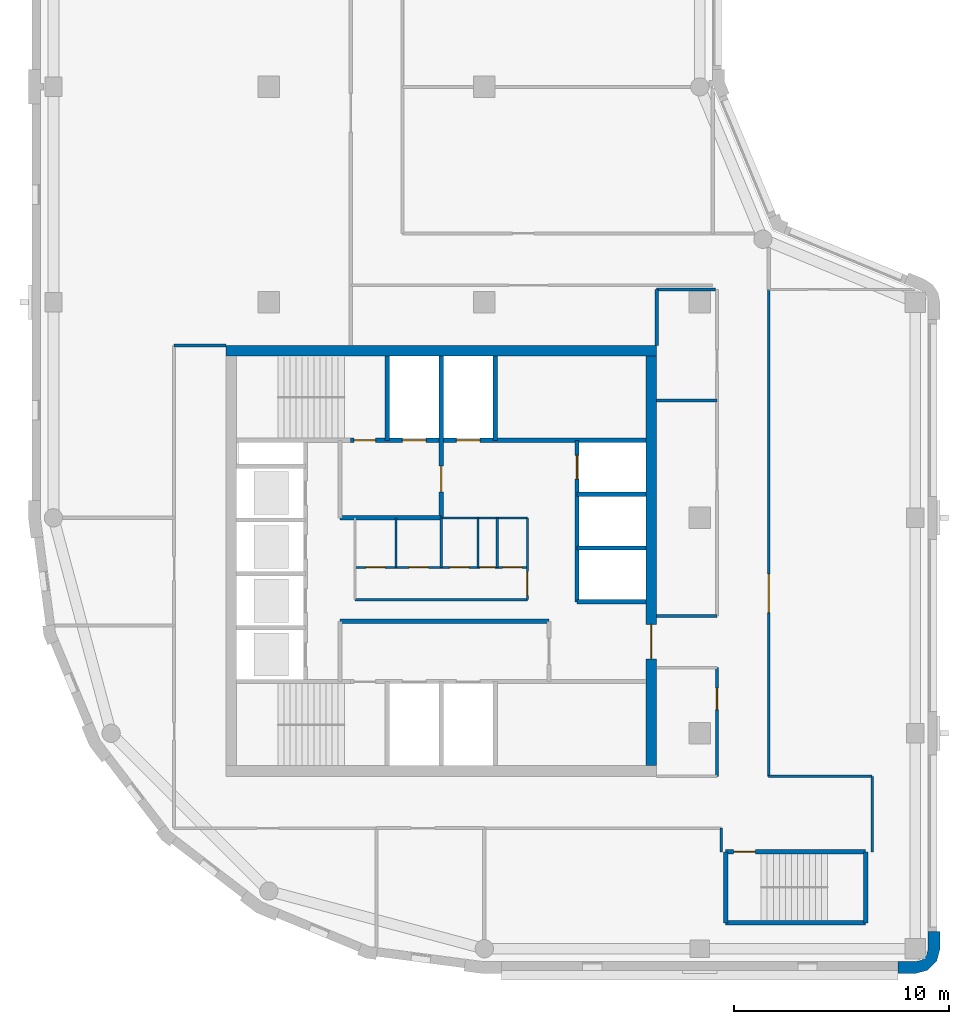
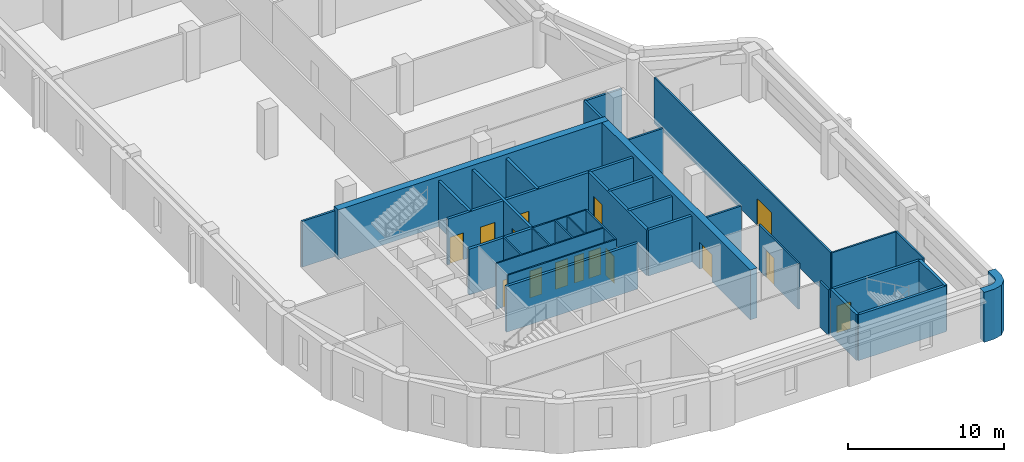
# One storey, part 3 of 8: 35 walls, 15 doors, 15 openings.
"""IFC4 building model written with IfcOpenShell, lengths in metres."""

from ifc_helpers import new_model, si_unit, direction, frame, frame_2d, origin, place, context, subcontext, project, spatial, polyline, rectangle, outline, extrude, material, layer, layer_set, type_object, element, fill, save


model = new_model("IFC4")

# Units and contexts
model_context = context("Model", 3, precision=1e-05, world=origin(), true_north=direction((0.0, 1.0)))
body_context = subcontext(model_context, "Body", "Model", "MODEL_VIEW")
ifc_project = project(units=[si_unit("LENGTHUNIT", "METRE"), si_unit("AREAUNIT", "SQUARE_METRE"), si_unit("VOLUMEUNIT", "CUBIC_METRE"), si_unit("PLANEANGLEUNIT", "RADIAN"), si_unit("MASSUNIT", "GRAM", prefix="KILO")], contexts=[model_context])

# Site, building, storey
site_placement = place(None, origin())
site = spatial("IfcSite", under=ifc_project, at=site_placement, CompositionType="ELEMENT")
building_placement = place(site_placement, origin())
building = spatial("IfcBuilding", under=site, at=building_placement, Name="Qaws Garden Tower", CompositionType="ELEMENT")
storey_placement = place(building_placement, frame((0.0, 0.0, 298.199951171875)))
storey = spatial("IfcBuildingStorey", under=building, at=storey_placement, Name="L72", CompositionType="ELEMENT", Elevation=298.199951171875)

# Walls
ifc_material_1 = material(Name="Clay facing brick masonry", Category="masonry")
ifc_layer_1 = layer(ifc_material_1, 0.550048828125)
ifc_layer_set_1 = layer_set([ifc_layer_1], Name="Clay facing brick masonry")
wall_type_1 = type_object("IfcWallType", Name="Brick corner pier 550 x 2400", PredefinedType="SOLIDWALL", material=ifc_layer_set_1)
wall_1_placement = place(storey_placement, origin())
element("IfcWall", 1, at=wall_1_placement, inside=storey, type_object=wall_type_1, Name="E-L72-pier-02", PredefinedType="SOLIDWALL", context=body_context, shape_type="SweptSolid", body=[
    extrude(outline(polyline([(39.199951171875, -1.0), (39.199951171875, -1.14990234375), (40.0, -1.14990234375), (40.574951171875, -0.995849609375), (40.995849609375, -0.574951171875), (41.14990234375, 0.0), (41.14990234375, 0.800048828125), (41.0, 0.800048828125), (40.60009765625, 0.800048828125), (40.60009765625, 0.0), (40.51953125, -0.300048828125), (40.300048828125, -0.51953125), (40.0, -0.60009765625), (39.199951171875, -0.60009765625), (39.199951171875, -1.0)])), origin(), (0.0, 0.0, 1.0), 3.900146484375),
])
ifc_material_2 = material(Name="Plasterboard")
ifc_layer_2 = layer(ifc_material_2, 0.10009765625)
ifc_layer_set_2 = layer_set([ifc_layer_2], Name="Plasterboard")
wall_type_2 = type_object("IfcWallType", Name="Core partition 100", PredefinedType="PARTITIONING", material=ifc_layer_set_2)
wall_2_placement = place(storey_placement, frame((14.0, 16.199951171875, 0.0), z_axis=(0.0, 0.0, 1.0), x_axis=(1.0, 0.0, 0.0)))
element("IfcWall", 2, at=wall_2_placement, inside=storey, type_object=wall_type_2, Name="Core partition", PredefinedType="PARTITIONING", context=body_context, shape_type="SweptSolid", body=[
    extrude(rectangle(XDim=8.0, YDim=0.10009765625, at=frame_2d((4.0, 0.0))), origin(), (0.0, 0.0, 1.0), 3.580078125),
])

# Wall, openings, doors
wall_3_placement = place(storey_placement, frame((14.0, 17.699951171875, 0.0), z_axis=(0.0, 0.0, 1.0), x_axis=(1.0, 0.0, 0.0)))
wall_3 = element("IfcWall", 3, at=wall_3_placement, inside=storey, type_object=wall_type_2, Name="Core partition", PredefinedType="PARTITIONING", context=body_context, shape_type="SweptSolid", body=[
    extrude(rectangle(XDim=8.0, YDim=0.10009765625, at=frame_2d((4.0, 0.0))), origin(), (0.0, 0.0, 1.0), 3.580078125),
])
opening_1_placement = place(wall_3_placement, frame((0.5, 0.0, 0.0)))
opening_1 = element("IfcOpeningElement", 4, at=opening_1_placement, cuts=wall_3, Name="Opening WD18", PredefinedType="OPENING", context=body_context, shape_type="SweptSolid", body=[
    extrude(rectangle(XDim=0.89990234375, YDim=2.10009765625, at=frame_2d((0.449951171875, 1.050048828125))), frame((0.0, 0.06005859375, 0.0), z_axis=(0.0, -1.0, 0.0), x_axis=(1.0, 0.0, 0.0)), (0.0, 0.0, 1.0), 0.1201171875),
])
opening_2_placement = place(wall_3_placement, frame((2.5, 0.0, 0.0)))
opening_2 = element("IfcOpeningElement", 5, at=opening_2_placement, cuts=wall_3, Name="Opening WD19", PredefinedType="OPENING", context=body_context, shape_type="SweptSolid", body=[
    extrude(rectangle(XDim=0.89990234375, YDim=2.10009765625, at=frame_2d((0.449951171875, 1.050048828125))), frame((0.0, 0.06005859375, 0.0), z_axis=(0.0, -1.0, 0.0), x_axis=(1.0, 0.0, 0.0)), (0.0, 0.0, 1.0), 0.1201171875),
])
opening_3_placement = place(wall_3_placement, frame((4.39990234375, 0.0, 0.0)))
opening_3 = element("IfcOpeningElement", 6, at=opening_3_placement, cuts=wall_3, Name="Opening WD20", PredefinedType="OPENING", context=body_context, shape_type="SweptSolid", body=[
    extrude(rectangle(XDim=0.89990234375, YDim=2.10009765625, at=frame_2d((0.449951171875, 1.050048828125))), frame((0.0, 0.06005859375, 0.0), z_axis=(0.0, -1.0, 0.0), x_axis=(1.0, 0.0, 0.0)), (0.0, 0.0, 1.0), 0.1201171875),
])
opening_4_placement = place(wall_3_placement, frame((5.800048828125, 0.0, 0.0)))
opening_4 = element("IfcOpeningElement", 7, at=opening_4_placement, cuts=wall_3, Name="Opening XD21", PredefinedType="OPENING", context=body_context, shape_type="SweptSolid", body=[
    extrude(rectangle(XDim=0.699951171875, YDim=2.10009765625, at=frame_2d((0.35009765625, 1.050048828125))), frame((0.0, 0.06005859375, 0.0), z_axis=(0.0, -1.0, 0.0), x_axis=(1.0, 0.0, 0.0)), (0.0, 0.0, 1.0), 0.1201171875),
])
opening_5_placement = place(wall_3_placement, frame((6.85009765625, 0.0, 0.0)))
opening_5 = element("IfcOpeningElement", 8, at=opening_5_placement, cuts=wall_3, Name="Opening WD22", PredefinedType="OPENING", context=body_context, shape_type="SweptSolid", body=[
    extrude(rectangle(XDim=0.89990234375, YDim=2.10009765625, at=frame_2d((0.449951171875, 1.050048828125))), frame((0.0, 0.06005859375, 0.0), z_axis=(0.0, -1.0, 0.0), x_axis=(1.0, 0.0, 0.0)), (0.0, 0.0, 1.0), 0.1201171875),
])
ifc_material_3 = material(Name="Timber", Category="wood")
door_type_1 = type_object("IfcDoorType", Name="Store door 700x2100", OperationType="SINGLE_SWING_LEFT", PredefinedType="DOOR", material=ifc_material_3)
door_1_placement = place(opening_4_placement, origin())
door_1 = element("IfcDoor", 9, at=door_1_placement, inside=storey, type_object=door_type_1, Name="Cleaner's store door", OperationType="SINGLE_SWING_RIGHT", OverallHeight=2.10009765625, OverallWidth=0.699951171875, PredefinedType="DOOR", context=body_context, shape_type="SweptSolid", body=[
    extrude(rectangle(XDim=0.699951171875, YDim=2.10009765625, at=frame_2d((0.35009765625, 1.050048828125))), frame((0.0, 0.02490234375, 0.0), z_axis=(0.0, -1.0, 0.0), x_axis=(1.0, 0.0, 0.0)), (0.0, 0.0, 1.0), 0.050048828125),
])
fill(opening_4, door_1)
ifc_material_4 = material(Name="Timber", Category="wood")
door_type_2 = type_object("IfcDoorType", Name="WC door 900x2100", OperationType="SINGLE_SWING_LEFT", PredefinedType="DOOR", material=ifc_material_4)
door_2_placement = place(opening_1_placement, origin())
door_2 = element("IfcDoor", 10, at=door_2_placement, inside=storey, type_object=door_type_2, Name="Men's WC door", OperationType="SINGLE_SWING_RIGHT", OverallHeight=2.10009765625, OverallWidth=0.89990234375, PredefinedType="DOOR", context=body_context, shape_type="SweptSolid", body=[
    extrude(rectangle(XDim=0.89990234375, YDim=2.10009765625, at=frame_2d((0.449951171875, 1.050048828125))), frame((0.0, 0.02490234375, 0.0), z_axis=(0.0, -1.0, 0.0), x_axis=(1.0, 0.0, 0.0)), (0.0, 0.0, 1.0), 0.050048828125),
])
fill(opening_1, door_2)
door_3_placement = place(opening_2_placement, origin())
door_3 = element("IfcDoor", 11, at=door_3_placement, inside=storey, type_object=door_type_2, Name="Women's WC door", OperationType="SINGLE_SWING_RIGHT", OverallHeight=2.10009765625, OverallWidth=0.89990234375, PredefinedType="DOOR", context=body_context, shape_type="SweptSolid", body=[
    extrude(rectangle(XDim=0.89990234375, YDim=2.10009765625, at=frame_2d((0.449951171875, 1.050048828125))), frame((0.0, 0.02490234375, 0.0), z_axis=(0.0, -1.0, 0.0), x_axis=(1.0, 0.0, 0.0)), (0.0, 0.0, 1.0), 0.050048828125),
])
fill(opening_2, door_3)
door_4_placement = place(opening_3_placement, origin())
door_4 = element("IfcDoor", 12, at=door_4_placement, inside=storey, type_object=door_type_2, Name="Accessible WC door", OperationType="SINGLE_SWING_RIGHT", OverallHeight=2.10009765625, OverallWidth=0.89990234375, PredefinedType="DOOR", context=body_context, shape_type="SweptSolid", body=[
    extrude(rectangle(XDim=0.89990234375, YDim=2.10009765625, at=frame_2d((0.449951171875, 1.050048828125))), frame((0.0, 0.02490234375, 0.0), z_axis=(0.0, -1.0, 0.0), x_axis=(1.0, 0.0, 0.0)), (0.0, 0.0, 1.0), 0.050048828125),
])
fill(opening_3, door_4)
door_5_placement = place(opening_5_placement, origin())
door_5 = element("IfcDoor", 13, at=door_5_placement, inside=storey, type_object=door_type_2, Name="Linen store door", OperationType="SINGLE_SWING_RIGHT", OverallHeight=2.10009765625, OverallWidth=0.89990234375, PredefinedType="DOOR", context=body_context, shape_type="SweptSolid", body=[
    extrude(rectangle(XDim=0.89990234375, YDim=2.10009765625, at=frame_2d((0.449951171875, 1.050048828125))), frame((0.0, 0.02490234375, 0.0), z_axis=(0.0, -1.0, 0.0), x_axis=(1.0, 0.0, 0.0)), (0.0, 0.0, 1.0), 0.050048828125),
])
fill(opening_5, door_5)

# Walls
wall_4_placement = place(storey_placement, frame((18.0, 20.0, 0.0), z_axis=(0.0, 0.0, 1.0), x_axis=(1.0, 0.0, 0.0)))
element("IfcWall", 14, at=wall_4_placement, inside=storey, type_object=wall_type_2, Name="Core partition", PredefinedType="PARTITIONING", context=body_context, shape_type="SweptSolid", body=[
    extrude(rectangle(XDim=4.0, YDim=0.10009765625, at=frame_2d((2.0, 0.0))), origin(), (0.0, 0.0, 1.0), 3.580078125),
])
for number, where, z_axis, x_axis, name in (
    (15, (15.89990234375, 17.699951171875, 0.0), (0.0, 0.0, 1.0), (0.0, 1.0, 0.0), "Core partition"),
    (16, (18.0, 17.699951171875, 0.0), (0.0, 0.0, 1.0), (0.0, 1.0, 0.0), "Core partition"),
    (17, (19.699951171875, 17.699951171875, 0.0), (0.0, 0.0, 1.0), (0.0, 1.0, 0.0), "Core partition"),
    (18, (20.60009765625, 17.699951171875, 0.0), (0.0, 0.0, 1.0), (0.0, 1.0, 0.0), "Core partition"),
):
    element("IfcWall", number, at=place(storey_placement, frame(where, z_axis=z_axis, x_axis=x_axis)), inside=storey, type_object=wall_type_2, Name=name, PredefinedType="PARTITIONING", context=body_context, shape_type="SweptSolid", body=[
        extrude(rectangle(XDim=2.300048828125, YDim=0.10009765625, at=frame_2d((1.14990234375, 0.0))), origin(), (0.0, 0.0, 1.0), 3.580078125),
    ])

# Wall, opening, door
wall_5_placement = place(storey_placement, frame((22.0, 16.199951171875, 0.0), z_axis=(0.0, 0.0, 1.0), x_axis=(0.0, 1.0, 0.0)))
wall_5 = element("IfcWall", 19, at=wall_5_placement, inside=storey, type_object=wall_type_2, Name="Core partition", PredefinedType="PARTITIONING", context=body_context, shape_type="SweptSolid", body=[
    extrude(rectangle(XDim=3.800048828125, YDim=0.10009765625, at=frame_2d((1.89990234375, 0.0))), origin(), (0.0, 0.0, 1.0), 3.580078125),
])
opening_6_placement = place(wall_5_placement, frame((0.199951171875, 0.0, 0.0)))
opening_6 = element("IfcOpeningElement", 20, at=opening_6_placement, cuts=wall_5, Name="Opening WL17", PredefinedType="OPENING", context=body_context, shape_type="SweptSolid", body=[
    extrude(rectangle(XDim=1.10009765625, YDim=2.10009765625, at=frame_2d((0.550048828125, 1.050048828125))), frame((0.0, 0.06005859375, 0.0), z_axis=(0.0, -1.0, 0.0), x_axis=(1.0, 0.0, 0.0)), (0.0, 0.0, 1.0), 0.1201171875),
])
ifc_material_5 = material(Name="Timber", Category="wood")
door_type_3 = type_object("IfcDoorType", Name="WC lobby door 1100x2100", OperationType="SINGLE_SWING_LEFT", PredefinedType="DOOR", material=ifc_material_5)
door_6_placement = place(opening_6_placement, origin())
door_6 = element("IfcDoor", 21, at=door_6_placement, inside=storey, type_object=door_type_3, Name="WC lobby door", OperationType="SINGLE_SWING_RIGHT", OverallHeight=2.10009765625, OverallWidth=1.10009765625, PredefinedType="DOOR", context=body_context, shape_type="SweptSolid", body=[
    extrude(rectangle(XDim=1.10009765625, YDim=2.10009765625, at=frame_2d((0.550048828125, 1.050048828125))), frame((0.0, 0.02490234375, 0.0), z_axis=(0.0, -1.0, 0.0), x_axis=(1.0, 0.0, 0.0)), (0.0, 0.0, 1.0), 0.050048828125),
])
fill(opening_6, door_6)

# Wall
ifc_material_6 = material(Name="Concrete C60", Category="concrete")
ifc_layer_3 = layer(ifc_material_6, 0.199951171875)
ifc_layer_set_3 = layer_set([ifc_layer_3], Name="Concrete C60")
wall_type_3 = type_object("IfcWallType", Name="Core shaft wall 200 C60", PredefinedType="SHEAR", material=ifc_layer_set_3)
wall_6_placement = place(storey_placement, frame((31.199951171875, 1.199951171875, 0.0), z_axis=(0.0, 0.0, 1.0), x_axis=(1.0, 0.0, 0.0)))
element("IfcWall", 22, at=wall_6_placement, inside=storey, type_object=wall_type_3, Name="Shaft wall", PredefinedType="SHEAR", context=body_context, shape_type="SweptSolid", body=[
    extrude(rectangle(XDim=6.5, YDim=0.199951171875, at=frame_2d((3.25, 0.0))), origin(), (0.0, 0.0, 1.0), 3.580078125),
])

# Wall, opening, door
wall_7_placement = place(storey_placement, frame((31.199951171875, 4.5, 0.0), z_axis=(0.0, 0.0, 1.0), x_axis=(1.0, 0.0, 0.0)))
wall_7 = element("IfcWall", 23, at=wall_7_placement, inside=storey, type_object=wall_type_3, Name="Shaft wall", PredefinedType="SHEAR", context=body_context, shape_type="SweptSolid", body=[
    extrude(rectangle(XDim=6.5, YDim=0.199951171875, at=frame_2d((3.25, 0.0))), origin(), (0.0, 0.0, 1.0), 3.580078125),
])
opening_7_placement = place(wall_7_placement, frame((0.375, 0.0, 0.0)))
opening_7 = element("IfcOpeningElement", 24, at=opening_7_placement, cuts=wall_7, Name="Opening SD12", PredefinedType="OPENING", context=body_context, shape_type="SweptSolid", body=[
    extrude(rectangle(XDim=1.0, YDim=2.10009765625, at=frame_2d((0.5, 1.050048828125))), frame((0.0, 0.10986328125, 0.0), z_axis=(0.0, -1.0, 0.0), x_axis=(1.0, 0.0, 0.0)), (0.0, 0.0, 1.0), 0.219970703125),
])
ifc_material_7 = material(Name="Steel S235", Category="steel")
door_type_4 = type_object("IfcDoorType", Name="Stair door 1000x2100", OperationType="SINGLE_SWING_RIGHT", PredefinedType="DOOR", material=ifc_material_7)
door_7_placement = place(opening_7_placement, frame((1.0, 0.0, 0.0), z_axis=(0.0, 0.0, 1.0), x_axis=(-1.0, 0.0, 0.0)))
door_7 = element("IfcDoor", 25, at=door_7_placement, inside=storey, type_object=door_type_4, Name="Stair 5 door", OperationType="SINGLE_SWING_RIGHT", OverallHeight=2.10009765625, OverallWidth=1.0, PredefinedType="DOOR", context=body_context, shape_type="SweptSolid", body=[
    extrude(rectangle(XDim=1.0, YDim=2.10009765625, at=frame_2d((0.5, 1.050048828125))), frame((0.0, 0.02490234375, 0.0), z_axis=(0.0, -1.0, 0.0), x_axis=(1.0, 0.0, 0.0)), (0.0, 0.0, 1.0), 0.050048828125),
])
fill(opening_7, door_7)

# Walls
wall_8_placement = place(storey_placement, frame((13.300048828125, 15.199951171875, 0.0), z_axis=(0.0, 0.0, 1.0), x_axis=(1.0, 0.0, 0.0)))
element("IfcWall", 26, at=wall_8_placement, inside=storey, type_object=wall_type_3, Name="Shaft wall", PredefinedType="SHEAR", context=body_context, shape_type="SweptSolid", body=[
    extrude(rectangle(XDim=9.699951171875, YDim=0.199951171875, at=frame_2d((4.85009765625, 0.0))), origin(), (0.0, 0.0, 1.0), 3.580078125),
])
for number, where, z_axis, x_axis, name in (
    (27, (24.300048828125, 16.10009765625, 0.0), (0.0, 0.0, 1.0), (1.0, 0.0, 0.0), "Shaft wall"),
    (28, (24.300048828125, 18.60009765625, 0.0), (0.0, 0.0, 1.0), (1.0, 0.0, 0.0), "Shaft wall"),
):
    element("IfcWall", number, at=place(storey_placement, frame(where, z_axis=z_axis, x_axis=x_axis)), inside=storey, type_object=wall_type_3, Name=name, PredefinedType="SHEAR", context=body_context, shape_type="SweptSolid", body=[
        extrude(rectangle(XDim=3.199951171875, YDim=0.199951171875, at=frame_2d((1.60009765625, 0.0))), origin(), (0.0, 0.0, 1.0), 3.580078125),
    ])
wall_9_placement = place(storey_placement, frame((13.300048828125, 20.0, 0.0), z_axis=(0.0, 0.0, 1.0), x_axis=(1.0, 0.0, 0.0)))
element("IfcWall", 29, at=wall_9_placement, inside=storey, type_object=wall_type_3, Name="Shaft wall", PredefinedType="SHEAR", context=body_context, shape_type="SweptSolid", body=[
    extrude(rectangle(XDim=4.699951171875, YDim=0.199951171875, at=frame_2d((2.35009765625, 0.0))), origin(), (0.0, 0.0, 1.0), 3.580078125),
])
wall_10_placement = place(storey_placement, frame((24.300048828125, 21.10009765625, 0.0), z_axis=(0.0, 0.0, 1.0), x_axis=(1.0, 0.0, 0.0)))
element("IfcWall", 30, at=wall_10_placement, inside=storey, type_object=wall_type_3, Name="Shaft wall", PredefinedType="SHEAR", context=body_context, shape_type="SweptSolid", body=[
    extrude(rectangle(XDim=3.199951171875, YDim=0.199951171875, at=frame_2d((1.60009765625, 0.0))), origin(), (0.0, 0.0, 1.0), 3.580078125),
])

# Wall, openings, doors
wall_11_placement = place(storey_placement, frame((13.800048828125, 23.60009765625, 0.0), z_axis=(0.0, 0.0, 1.0), x_axis=(1.0, 0.0, 0.0)))
wall_11 = element("IfcWall", 31, at=wall_11_placement, inside=storey, type_object=wall_type_3, Name="Shaft wall", PredefinedType="SHEAR", context=body_context, shape_type="SweptSolid", body=[
    extrude(rectangle(XDim=13.699951171875, YDim=0.199951171875, at=frame_2d((6.85009765625, 0.0))), origin(), (0.0, 0.0, 1.0), 3.580078125),
])
opening_8_placement = place(wall_11_placement, frame((2.39990234375, 0.0, 0.0)))
opening_8 = element("IfcOpeningElement", 32, at=opening_8_placement, cuts=wall_11, Name="Opening LD08", PredefinedType="OPENING", context=body_context, shape_type="SweptSolid", body=[
    extrude(rectangle(XDim=1.10009765625, YDim=2.10009765625, at=frame_2d((0.550048828125, 1.050048828125))), frame((0.0, 0.10986328125, 0.0), z_axis=(0.0, -1.0, 0.0), x_axis=(1.0, 0.0, 0.0)), (0.0, 0.0, 1.0), 0.219970703125),
])
opening_9_placement = place(wall_11_placement, frame((4.89990234375, 0.0, 0.0)))
opening_9 = element("IfcOpeningElement", 33, at=opening_9_placement, cuts=wall_11, Name="Opening LD09", PredefinedType="OPENING", context=body_context, shape_type="SweptSolid", body=[
    extrude(rectangle(XDim=1.10009765625, YDim=2.10009765625, at=frame_2d((0.550048828125, 1.050048828125))), frame((0.0, 0.10986328125, 0.0), z_axis=(0.0, -1.0, 0.0), x_axis=(1.0, 0.0, 0.0)), (0.0, 0.0, 1.0), 0.219970703125),
])
opening_10_placement = place(wall_11_placement, frame((0.14990234375, 0.0, 0.0)))
opening_10 = element("IfcOpeningElement", 34, at=opening_10_placement, cuts=wall_11, Name="Opening SD11", PredefinedType="OPENING", context=body_context, shape_type="SweptSolid", body=[
    extrude(rectangle(XDim=1.0, YDim=2.10009765625, at=frame_2d((0.5, 1.050048828125))), frame((0.0, 0.10986328125, 0.0), z_axis=(0.0, -1.0, 0.0), x_axis=(1.0, 0.0, 0.0)), (0.0, 0.0, 1.0), 0.219970703125),
])
ifc_material_8 = material(Name="Steel S235", Category="steel")
door_type_5 = type_object("IfcDoorType", Name="Landing door 1100x2100", OperationType="DOUBLE_DOOR_SLIDING", PredefinedType="DOOR", material=ifc_material_8)
door_8_placement = place(opening_8_placement, origin())
door_8 = element("IfcDoor", 35, at=door_8_placement, inside=storey, type_object=door_type_5, Name="Lift FF3 landing door", OperationType="DOUBLE_DOOR_SLIDING", OverallHeight=2.10009765625, OverallWidth=1.10009765625, PredefinedType="DOOR", context=body_context, shape_type="SweptSolid", body=[
    extrude(rectangle(XDim=1.10009765625, YDim=2.10009765625, at=frame_2d((0.550048828125, 1.050048828125))), frame((0.0, 0.02490234375, 0.0), z_axis=(0.0, -1.0, 0.0), x_axis=(1.0, 0.0, 0.0)), (0.0, 0.0, 1.0), 0.050048828125),
])
fill(opening_8, door_8)
door_9_placement = place(opening_9_placement, origin())
door_9 = element("IfcDoor", 36, at=door_9_placement, inside=storey, type_object=door_type_5, Name="Lift SV2 landing door", OperationType="DOUBLE_DOOR_SLIDING", OverallHeight=2.10009765625, OverallWidth=1.10009765625, PredefinedType="DOOR", context=body_context, shape_type="SweptSolid", body=[
    extrude(rectangle(XDim=1.10009765625, YDim=2.10009765625, at=frame_2d((0.550048828125, 1.050048828125))), frame((0.0, 0.02490234375, 0.0), z_axis=(0.0, -1.0, 0.0), x_axis=(1.0, 0.0, 0.0)), (0.0, 0.0, 1.0), 0.050048828125),
])
fill(opening_9, door_9)
door_10_placement = place(opening_10_placement, origin())
door_10 = element("IfcDoor", 37, at=door_10_placement, inside=storey, type_object=door_type_4, Name="Stair 4 door", OperationType="SINGLE_SWING_RIGHT", OverallHeight=2.10009765625, OverallWidth=1.0, PredefinedType="DOOR", context=body_context, shape_type="SweptSolid", body=[
    extrude(rectangle(XDim=1.0, YDim=2.10009765625, at=frame_2d((0.5, 1.050048828125))), frame((0.0, 0.02490234375, 0.0), z_axis=(0.0, -1.0, 0.0), x_axis=(1.0, 0.0, 0.0)), (0.0, 0.0, 1.0), 0.050048828125),
])
fill(opening_10, door_10)

# Wall
wall_12_placement = place(storey_placement, frame((15.5, 23.60009765625, 0.0), z_axis=(0.0, 0.0, 1.0), x_axis=(0.0, 1.0, 0.0)))
element("IfcWall", 38, at=wall_12_placement, inside=storey, type_object=wall_type_3, Name="Shaft wall", PredefinedType="SHEAR", context=body_context, shape_type="SweptSolid", body=[
    extrude(rectangle(XDim=3.89990234375, YDim=0.199951171875, at=frame_2d((1.949951171875, 0.0))), origin(), (0.0, 0.0, 1.0), 3.580078125),
])

# Wall, opening, door
wall_13_placement = place(storey_placement, frame((18.0, 20.0, 0.0), z_axis=(0.0, 0.0, 1.0), x_axis=(0.0, 1.0, 0.0)))
wall_13 = element("IfcWall", 39, at=wall_13_placement, inside=storey, type_object=wall_type_3, Name="Shaft wall", PredefinedType="SHEAR", context=body_context, shape_type="SweptSolid", body=[
    extrude(rectangle(XDim=7.5, YDim=0.199951171875, at=frame_2d((3.75, 0.0))), origin(), (0.0, 0.0, 1.0), 3.580078125),
])
opening_11_placement = place(wall_13_placement, frame((1.199951171875, 0.0, 0.0)))
opening_11 = element("IfcOpeningElement", 40, at=opening_11_placement, cuts=wall_13, Name="Opening FD16", PredefinedType="OPENING", context=body_context, shape_type="SweptSolid", body=[
    extrude(rectangle(XDim=1.199951171875, YDim=2.10009765625, at=frame_2d((0.60009765625, 1.050048828125))), frame((0.0, 0.10986328125, 0.0), z_axis=(0.0, -1.0, 0.0), x_axis=(1.0, 0.0, 0.0)), (0.0, 0.0, 1.0), 0.219970703125),
])
ifc_material_9 = material(Name="Steel S235", Category="steel")
door_type_6 = type_object("IfcDoorType", Name="Lobby door 1200x2100", OperationType="DOUBLE_DOOR_SINGLE_SWING", PredefinedType="DOOR", material=ifc_material_9)
door_11_placement = place(opening_11_placement, origin())
door_11 = element("IfcDoor", 41, at=door_11_placement, inside=storey, type_object=door_type_6, Name="Fire-fighting lobby door", OperationType="DOUBLE_DOOR_SINGLE_SWING", OverallHeight=2.10009765625, OverallWidth=1.199951171875, PredefinedType="DOOR", context=body_context, shape_type="SweptSolid", body=[
    extrude(rectangle(XDim=1.199951171875, YDim=2.10009765625, at=frame_2d((0.60009765625, 1.050048828125))), frame((0.0, 0.02490234375, 0.0), z_axis=(0.0, -1.0, 0.0), x_axis=(1.0, 0.0, 0.0)), (0.0, 0.0, 1.0), 0.050048828125),
])
fill(opening_11, door_11)

# Wall
wall_14_placement = place(storey_placement, frame((20.5, 23.60009765625, 0.0), z_axis=(0.0, 0.0, 1.0), x_axis=(0.0, 1.0, 0.0)))
element("IfcWall", 42, at=wall_14_placement, inside=storey, type_object=wall_type_3, Name="Shaft wall", PredefinedType="SHEAR", context=body_context, shape_type="SweptSolid", body=[
    extrude(rectangle(XDim=3.89990234375, YDim=0.199951171875, at=frame_2d((1.949951171875, 0.0))), origin(), (0.0, 0.0, 1.0), 3.580078125),
])

# Wall, opening, door
wall_15_placement = place(storey_placement, frame((24.300048828125, 16.10009765625, 0.0), z_axis=(0.0, 0.0, 1.0), x_axis=(0.0, 1.0, 0.0)))
wall_15 = element("IfcWall", 43, at=wall_15_placement, inside=storey, type_object=wall_type_3, Name="Shaft wall", PredefinedType="SHEAR", context=body_context, shape_type="SweptSolid", body=[
    extrude(rectangle(XDim=7.5, YDim=0.199951171875, at=frame_2d((3.75, 0.0))), origin(), (0.0, 0.0, 1.0), 3.580078125),
])
opening_12_placement = place(wall_15_placement, frame((5.699951171875, 0.0, 0.0)))
opening_12 = element("IfcOpeningElement", 44, at=opening_12_placement, cuts=wall_15, Name="Opening LD05", PredefinedType="OPENING", context=body_context, shape_type="SweptSolid", body=[
    extrude(rectangle(XDim=1.10009765625, YDim=2.10009765625, at=frame_2d((0.550048828125, 1.050048828125))), frame((0.0, 0.10986328125, 0.0), z_axis=(0.0, -1.0, 0.0), x_axis=(1.0, 0.0, 0.0)), (0.0, 0.0, 1.0), 0.219970703125),
])
door_12_placement = place(opening_12_placement, origin())
door_12 = element("IfcDoor", 45, at=door_12_placement, inside=storey, type_object=door_type_5, Name="Lift E3 landing door", OperationType="DOUBLE_DOOR_SLIDING", OverallHeight=2.10009765625, OverallWidth=1.10009765625, PredefinedType="DOOR", context=body_context, shape_type="SweptSolid", body=[
    extrude(rectangle(XDim=1.10009765625, YDim=2.10009765625, at=frame_2d((0.550048828125, 1.050048828125))), frame((0.0, 0.02490234375, 0.0), z_axis=(0.0, -1.0, 0.0), x_axis=(1.0, 0.0, 0.0)), (0.0, 0.0, 1.0), 0.050048828125),
])
fill(opening_12, door_12)

# Walls
for number, where, z_axis, x_axis, name in (
    (46, (31.199951171875, 1.199951171875, 0.0), (0.0, 0.0, 1.0), (0.0, 1.0, 0.0), "Shaft wall"),
    (47, (37.699951171875, 1.199951171875, 0.0), (0.0, 0.0, 1.0), (0.0, 1.0, 0.0), "Shaft wall"),
):
    element("IfcWall", number, at=place(storey_placement, frame(where, z_axis=z_axis, x_axis=x_axis)), inside=storey, type_object=wall_type_3, Name=name, PredefinedType="SHEAR", context=body_context, shape_type="SweptSolid", body=[
        extrude(rectangle(XDim=3.300048828125, YDim=0.199951171875, at=frame_2d((1.64990234375, 0.0))), origin(), (0.0, 0.0, 1.0), 3.580078125),
    ])

# Wall, opening, door
ifc_material_10 = material(Name="Concrete C60", Category="concrete")
ifc_layer_4 = layer(ifc_material_10, 0.5)
ifc_layer_set_4 = layer_set([ifc_layer_4], Name="Concrete C60")
wall_type_4 = type_object("IfcWallType", Name="Core wall 500 C60", PredefinedType="SHEAR", material=ifc_layer_set_4)
wall_16_placement = place(storey_placement, frame((27.75, 8.5, 0.0), z_axis=(0.0, 0.0, 1.0), x_axis=(0.0, 1.0, 0.0)))
wall_16 = element("IfcWall", 48, at=wall_16_placement, inside=storey, type_object=wall_type_4, Name="Core wall L72 east", PredefinedType="SHEAR", context=body_context, shape_type="SweptSolid", body=[
    extrude(rectangle(XDim=19.0, YDim=0.5, at=frame_2d((9.5, 0.0))), origin(), (0.0, 0.0, 1.0), 3.900146484375),
])
opening_13_placement = place(wall_16_placement, frame((4.949951171875, 0.0, 0.0)))
opening_13 = element("IfcOpeningElement", 49, at=opening_13_placement, cuts=wall_16, Name="Opening ED23", PredefinedType="OPENING", context=body_context, shape_type="SweptSolid", body=[
    extrude(rectangle(XDim=1.60009765625, YDim=2.10009765625, at=frame_2d((0.800048828125, 1.050048828125))), frame((0.0, 0.260009765625, 0.0), z_axis=(0.0, -1.0, 0.0), x_axis=(1.0, 0.0, 0.0)), (0.0, 0.0, 1.0), 0.52001953125),
])
ifc_material_11 = material(Name="Steel S235", Category="steel")
door_type_7 = type_object("IfcDoorType", Name="Core entrance door 1600x2100", OperationType="DOUBLE_DOOR_SINGLE_SWING", PredefinedType="DOOR", material=ifc_material_11)
door_13_placement = place(opening_13_placement, origin())
door_13 = element("IfcDoor", 50, at=door_13_placement, inside=storey, type_object=door_type_7, Name="Core entrance door", OperationType="DOUBLE_DOOR_SINGLE_SWING", OverallHeight=2.10009765625, OverallWidth=1.60009765625, PredefinedType="DOOR", context=body_context, shape_type="SweptSolid", body=[
    extrude(rectangle(XDim=1.60009765625, YDim=2.10009765625, at=frame_2d((0.800048828125, 1.050048828125))), frame((0.0, 0.02490234375, 0.0), z_axis=(0.0, -1.0, 0.0), x_axis=(1.0, 0.0, 0.0)), (0.0, 0.0, 1.0), 0.050048828125),
])
fill(opening_13, door_13)

# Wall
wall_17_placement = place(storey_placement, frame((28.0, 27.75, 0.0), z_axis=(0.0, 0.0, 1.0), x_axis=(-1.0, 0.0, 0.0)))
element("IfcWall", 51, at=wall_17_placement, inside=storey, type_object=wall_type_4, Name="Core wall L72 north", PredefinedType="SHEAR", context=body_context, shape_type="SweptSolid", body=[
    extrude(rectangle(XDim=20.0, YDim=0.5, at=frame_2d((10.0, 0.0))), origin(), (0.0, 0.0, 1.0), 3.900146484375),
])

# Wall, opening, door
ifc_material_12 = material(Name="Glass and aluminium framing", Category="aluminium")
ifc_layer_5 = layer(ifc_material_12, 0.1201171875)
ifc_layer_set_5 = layer_set([ifc_layer_5], Name="Glass and aluminium framing")
wall_type_5 = type_object("IfcWallType", Name="GLAZED PARTITION 120 EI 30", PredefinedType="PARTITIONING", material=ifc_layer_set_5)
wall_18_placement = place(storey_placement, frame((30.800048828125, 8.0, 0.0), z_axis=(0.0, 0.0, 1.0), x_axis=(0.0, 1.0, 0.0)))
wall_18 = element("IfcWall", 52, at=wall_18_placement, inside=storey, type_object=wall_type_5, Name="O-L72-wall-037", PredefinedType="PARTITIONING", context=body_context, shape_type="SweptSolid", body=[
    extrude(rectangle(XDim=5.050048828125, YDim=0.1201171875, at=frame_2d((2.52490234375, 0.0))), origin(), (0.0, 0.0, 1.0), 3.580078125),
])
opening_14_placement = place(wall_18_placement, frame((3.10009765625, 0.0, 0.0)))
opening_14 = element("IfcOpeningElement", 53, at=opening_14_placement, cuts=wall_18, Name="Opening C614", PredefinedType="OPENING", context=body_context, shape_type="SweptSolid", body=[
    extrude(rectangle(XDim=1.0, YDim=2.10009765625, at=frame_2d((0.5, 1.050048828125))), frame((0.0, 0.070068359375, 0.0), z_axis=(0.0, -1.0, 0.0), x_axis=(1.0, 0.0, 0.0)), (0.0, 0.0, 1.0), 0.14013671875),
])
ifc_material_13 = material(Name="Timber door leaf", Category="wood")
door_type_8 = type_object("IfcDoorType", Name="TENANCY ENTRANCE DOOR 1000 X 2100", OperationType="SINGLE_SWING_LEFT", PredefinedType="DOOR", material=ifc_material_13)
door_14_placement = place(opening_14_placement, origin())
door_14 = element("IfcDoor", 54, at=door_14_placement, inside=storey, type_object=door_type_8, Name="O-L72-door-014", OperationType="SINGLE_SWING_RIGHT", OverallHeight=2.10009765625, OverallWidth=1.0, PredefinedType="DOOR", context=body_context, shape_type="SweptSolid", body=[
    extrude(rectangle(XDim=1.0, YDim=2.10009765625, at=frame_2d((0.5, 1.050048828125))), frame((0.0, 0.02490234375, 0.0), z_axis=(0.0, -1.0, 0.0), x_axis=(1.0, 0.0, 0.0)), (0.0, 0.0, 1.0), 0.050048828125),
])
fill(opening_14, door_14)

# Wall
wall_19_placement = place(storey_placement, frame((31.0, 4.5, 0.0), z_axis=(0.0, 0.0, 1.0), x_axis=(0.0, 1.0, 0.0)))
element("IfcWall", 55, at=wall_19_placement, inside=storey, type_object=wall_type_5, Name="O-L72-wall-038", PredefinedType="PARTITIONING", context=body_context, shape_type="SweptSolid", body=[
    extrude(rectangle(XDim=1.10009765625, YDim=0.1201171875, at=frame_2d((0.550048828125, 0.0))), origin(), (0.0, 0.0, 1.0), 3.580078125),
])

# Wall, opening, door
wall_20_placement = place(storey_placement, frame((33.199951171875, 8.0, 0.0), z_axis=(0.0, 0.0, 1.0), x_axis=(0.0, 1.0, 0.0)))
wall_20 = element("IfcWall", 56, at=wall_20_placement, inside=storey, type_object=wall_type_5, Name="O-L72-wall-039", PredefinedType="PARTITIONING", context=body_context, shape_type="SweptSolid", body=[
    extrude(rectangle(XDim=22.60009765625, YDim=0.1201171875, at=frame_2d((11.300048828125, 0.0))), origin(), (0.0, 0.0, 1.0), 3.580078125),
])
opening_15_placement = place(wall_20_placement, frame((7.60009765625, 0.0, 0.0)))
opening_15 = element("IfcOpeningElement", 57, at=opening_15_placement, cuts=wall_20, Name="Opening C613", PredefinedType="OPENING", context=body_context, shape_type="SweptSolid", body=[
    extrude(rectangle(XDim=1.800048828125, YDim=2.10009765625, at=frame_2d((0.89990234375, 1.050048828125))), frame((0.0, 0.070068359375, 0.0), z_axis=(0.0, -1.0, 0.0), x_axis=(1.0, 0.0, 0.0)), (0.0, 0.0, 1.0), 0.14013671875),
])
ifc_material_14 = material(Name="Timber door leaf", Category="wood")
door_type_9 = type_object("IfcDoorType", Name="DOUBLE DOOR 1800 X 2100", OperationType="DOUBLE_DOOR_SINGLE_SWING", PredefinedType="DOOR", material=ifc_material_14)
door_15_placement = place(opening_15_placement, frame((1.800048828125, 0.0, 0.0), z_axis=(0.0, 0.0, 1.0), x_axis=(-1.0, 0.0, 0.0)))
door_15 = element("IfcDoor", 58, at=door_15_placement, inside=storey, type_object=door_type_9, Name="O-L72-door-013", OperationType="DOUBLE_DOOR_SINGLE_SWING", OverallHeight=2.10009765625, OverallWidth=1.800048828125, PredefinedType="DOOR", context=body_context, shape_type="SweptSolid", body=[
    extrude(rectangle(XDim=1.800048828125, YDim=2.10009765625, at=frame_2d((0.89990234375, 1.050048828125))), frame((0.0, 0.02490234375, 0.0), z_axis=(0.0, -1.0, 0.0), x_axis=(1.0, 0.0, 0.0)), (0.0, 0.0, 1.0), 0.050048828125),
])
fill(opening_15, door_15)

# Walls
wall_21_placement = place(storey_placement, frame((38.0, 4.5, 0.0), z_axis=(0.0, 0.0, 1.0), x_axis=(0.0, 1.0, 0.0)))
element("IfcWall", 59, at=wall_21_placement, inside=storey, type_object=wall_type_5, Name="O-L72-wall-040", PredefinedType="PARTITIONING", context=body_context, shape_type="SweptSolid", body=[
    extrude(rectangle(XDim=3.5, YDim=0.1201171875, at=frame_2d((1.75, 0.0))), origin(), (0.0, 0.0, 1.0), 3.580078125),
])
wall_22_placement = place(storey_placement, frame((33.199951171875, 8.0, 0.0), z_axis=(0.0, 0.0, 1.0), x_axis=(1.0, 0.0, 0.0)))
element("IfcWall", 60, at=wall_22_placement, inside=storey, type_object=wall_type_5, Name="O-L72-wall-044", PredefinedType="PARTITIONING", context=body_context, shape_type="SweptSolid", body=[
    extrude(rectangle(XDim=4.800048828125, YDim=0.1201171875, at=frame_2d((2.39990234375, 0.0))), origin(), (0.0, 0.0, 1.0), 3.580078125),
])
ifc_material_15 = material(Name="Gypsum board partition")
ifc_layer_6 = layer(ifc_material_15, 0.14990234375)
ifc_layer_set_6 = layer_set([ifc_layer_6], Name="Gypsum board partition")
wall_type_6 = type_object("IfcWallType", Name="PARTITION 150 EI 60", PredefinedType="PARTITIONING", material=ifc_layer_set_6)
wall_23_placement = place(storey_placement, frame((28.0, 28.0, 0.0), z_axis=(0.0, 0.0, 1.0), x_axis=(0.0, 1.0, 0.0)))
element("IfcWall", 61, at=wall_23_placement, inside=storey, type_object=wall_type_6, Name="O-L72-wall-012", PredefinedType="PARTITIONING", context=body_context, shape_type="SweptSolid", body=[
    extrude(rectangle(XDim=2.597900390625, YDim=0.14990234375, at=frame_2d((1.298828125, 0.0))), origin(), (0.0, 0.0, 1.0), 3.580078125),
])
for number, where, z_axis, x_axis, name in (
    (62, (28.0, 15.449951171875, 0.0), (0.0, 0.0, 1.0), (1.0, 0.0, 0.0), "O-L72-wall-018"),
    (63, (28.0, 25.449951171875, 0.0), (0.0, 0.0, 1.0), (1.0, 0.0, 0.0), "O-L72-wall-020"),
):
    element("IfcWall", number, at=place(storey_placement, frame(where, z_axis=z_axis, x_axis=x_axis)), inside=storey, type_object=wall_type_6, Name=name, PredefinedType="PARTITIONING", context=body_context, shape_type="SweptSolid", body=[
        extrude(rectangle(XDim=2.800048828125, YDim=0.14990234375, at=frame_2d((1.39990234375, 0.0))), origin(), (0.0, 0.0, 1.0), 3.580078125),
    ])
wall_24_placement = place(storey_placement, frame((5.60009765625, 28.0, 0.0), z_axis=(0.0, 0.0, 1.0), x_axis=(1.0, 0.0, 0.0)))
element("IfcWall", 64, at=wall_24_placement, inside=storey, type_object=wall_type_6, Name="O-L72-wall-021", PredefinedType="PARTITIONING", context=body_context, shape_type="SweptSolid", body=[
    extrude(rectangle(XDim=2.39990234375, YDim=0.14990234375, at=frame_2d((1.199951171875, 0.0))), origin(), (0.0, 0.0, 1.0), 3.580078125),
])
wall_25_placement = place(storey_placement, frame((28.001953125, 30.60009765625, 0.0), z_axis=(0.0, 0.0, 1.0), x_axis=(1.0, 0.0, 0.0)))
element("IfcWall", 65, at=wall_25_placement, inside=storey, type_object=wall_type_6, Name="O-L72-wall-022", PredefinedType="PARTITIONING", context=body_context, shape_type="SweptSolid", body=[
    extrude(rectangle(XDim=2.72314453125, YDim=0.14990234375, at=frame_2d((1.361572265625, 0.0))), origin(), (0.0, 0.0, 1.0), 3.580078125),
])

save(model, "model.ifc")
